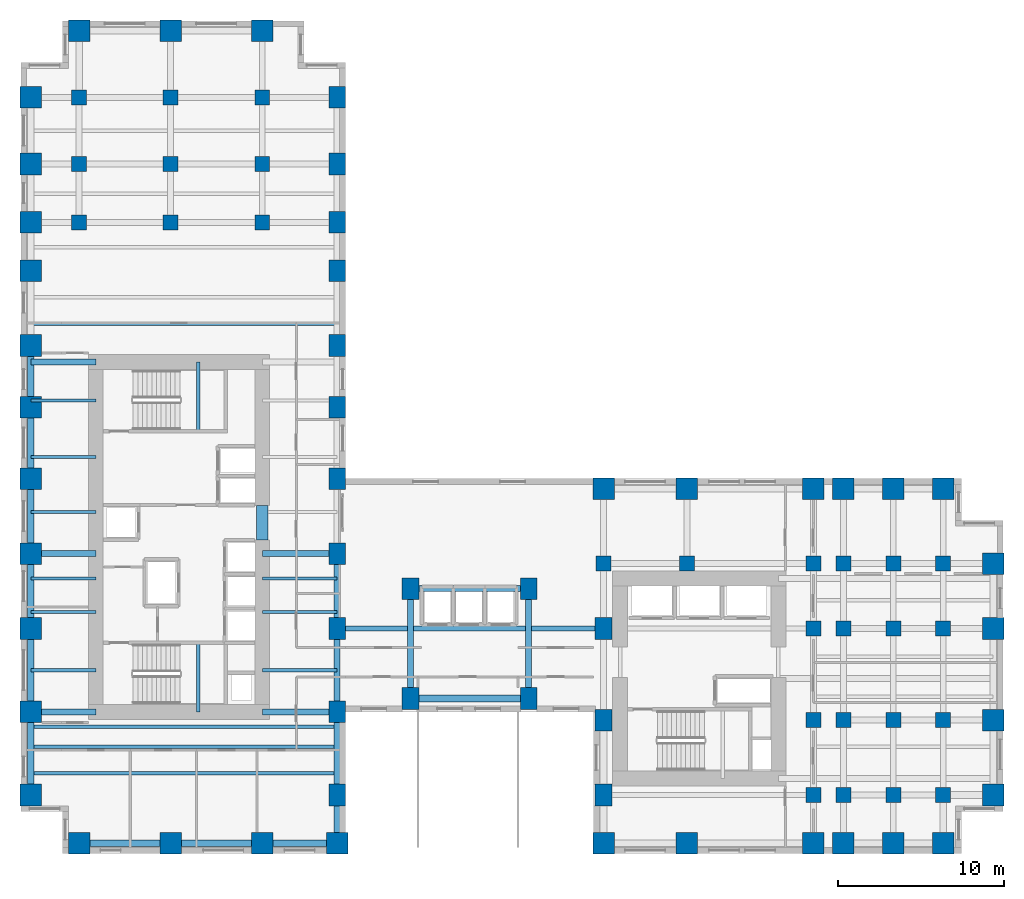
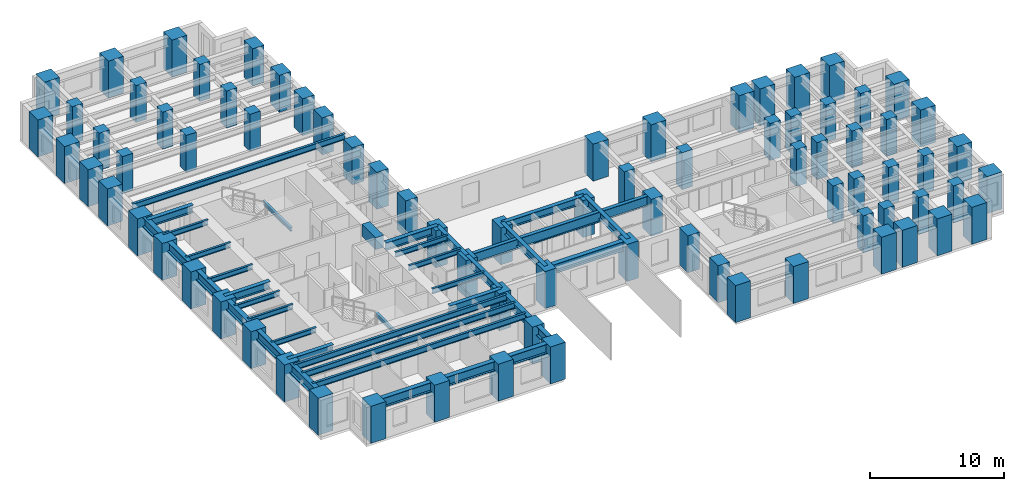
# One storey, part 1 of 12: 79 columns, 39 beams.
"""IFC4 building model written with IfcOpenShell, lengths in metres."""

from ifc_helpers import new_model, si_unit, direction, frame, origin, origin_2d, place, context, subcontext, project, spatial, rectangle, i_section, extrude, source, transform, mapped, material, material_profile, profile_set, type_object, element, save


model = new_model("IFC4")

# Units and contexts
model_context = context("Model", 3, precision=1e-05, world=origin(), true_north=direction((0.0, 1.0)))
body_context = subcontext(model_context, "Body", "Model", "MODEL_VIEW")
ifc_project = project(units=[si_unit("LENGTHUNIT", "METRE"), si_unit("AREAUNIT", "SQUARE_METRE"), si_unit("VOLUMEUNIT", "CUBIC_METRE"), si_unit("PLANEANGLEUNIT", "RADIAN"), si_unit("MASSUNIT", "GRAM", prefix="KILO")], contexts=[model_context])

# Site, building, storey
site_placement = place(None, origin())
site = spatial("IfcSite", under=ifc_project, at=site_placement, CompositionType="ELEMENT")
building_placement = place(site_placement, origin())
building = spatial("IfcBuilding", under=site, at=building_placement, Name="Kharzan Plaza Tower", CompositionType="ELEMENT")
storey_placement = place(building_placement, frame((0.0, 0.0, 51.300048828125)))
storey = spatial("IfcBuildingStorey", under=building, at=storey_placement, Name="L13", CompositionType="ELEMENT", Elevation=51.300048828125)

# Columns
ifc_material_1 = material(Name="Concrete C50/60", Category="concrete")
ifc_material_profile_1 = material_profile(ifc_material_1, rectangle(XDim=0.89990234375, YDim=0.89990234375, at=origin_2d()), Name="RC-IC900x900")
ifc_profile_set_1 = profile_set([ifc_material_profile_1], Name="Concrete C50/60")
column_type_1 = type_object("IfcColumnType", Name="COL-IC900", PredefinedType="COLUMN", material=ifc_profile_set_1)
shared_shape_1 = source(origin(), body_context, "Body", "SweptSolid", [
    extrude(rectangle(XDim=0.89990234375, YDim=0.89990234375, at=origin_2d()), origin(), (0.0, 0.0, 1.0), 3.3798828125),
])
for number, where, z_axis, x_axis, name in (
    (1, (47.60009765625, 13.5, 0.0), (0.0, 0.0, 1.0), (1.0, 0.0, 0.0), "L13 Structural Column TCBI-135"),
    (2, (47.60009765625, 3.5, 0.0), (0.0, 0.0, 1.0), (1.0, 0.0, 0.0), "L13 Structural Column TCBI-35"),
    (3, (47.60009765625, 8.0, 0.0), (0.0, 0.0, 1.0), (1.0, 0.0, 0.0), "L13 Structural Column TCBI-80"),
    (4, (35.0, 17.39990234375, 0.0), (0.0, 0.0, 1.0), (1.0, 0.0, 0.0), "L13 Structural Column TCBN-350-174"),
    (5, (40.0, 17.39990234375, 0.0), (0.0, 0.0, 1.0), (1.0, 0.0, 0.0), "L13 Structural Column TCBN-400-174"),
    (6, (47.60009765625, 17.39990234375, 0.0), (0.0, 0.0, 1.0), (1.0, 0.0, 0.0), "L13 Structural Column TCBN-476-174"),
    (7, (49.39990234375, 13.5, 0.0), (0.0, 0.0, 1.0), (1.0, 0.0, 0.0), "L13 Structural Column TCE-494-135"),
    (8, (49.39990234375, 17.39990234375, 0.0), (0.0, 0.0, 1.0), (1.0, 0.0, 0.0), "L13 Structural Column TCE-494-174"),
    (9, (49.39990234375, 3.5, 0.0), (0.0, 0.0, 1.0), (1.0, 0.0, 0.0), "L13 Structural Column TCE-494-35"),
    (10, (49.39990234375, 8.0, 0.0), (0.0, 0.0, 1.0), (1.0, 0.0, 0.0), "L13 Structural Column TCE-494-80"),
    (11, (52.39990234375, 13.5, 0.0), (0.0, 0.0, 1.0), (1.0, 0.0, 0.0), "L13 Structural Column TCE-524-135"),
    (12, (52.39990234375, 17.39990234375, 0.0), (0.0, 0.0, 1.0), (1.0, 0.0, 0.0), "L13 Structural Column TCE-524-174"),
    (13, (52.39990234375, 3.5, 0.0), (0.0, 0.0, 1.0), (1.0, 0.0, 0.0), "L13 Structural Column TCE-524-35"),
    (14, (52.39990234375, 8.0, 0.0), (0.0, 0.0, 1.0), (1.0, 0.0, 0.0), "L13 Structural Column TCE-524-80"),
    (15, (55.39990234375, 13.5, 0.0), (0.0, 0.0, 1.0), (1.0, 0.0, 0.0), "L13 Structural Column TCE-554-135"),
    (16, (55.39990234375, 17.39990234375, 0.0), (0.0, 0.0, 1.0), (1.0, 0.0, 0.0), "L13 Structural Column TCE-554-174"),
    (17, (55.39990234375, 3.5, 0.0), (0.0, 0.0, 1.0), (1.0, 0.0, 0.0), "L13 Structural Column TCE-554-35"),
    (18, (55.39990234375, 8.0, 0.0), (0.0, 0.0, 1.0), (1.0, 0.0, 0.0), "L13 Structural Column TCE-554-80"),
    (19, (14.5, 37.89990234375, 0.0), (0.0, 0.0, 1.0), (1.0, 0.0, 0.0), "L13 Structural Column TCN-145-379"),
    (20, (14.5, 41.39990234375, 0.0), (0.0, 0.0, 1.0), (1.0, 0.0, 0.0), "L13 Structural Column TCN-145-414"),
    (21, (14.5, 45.39990234375, 0.0), (0.0, 0.0, 1.0), (1.0, 0.0, 0.0), "L13 Structural Column TCN-145-454"),
    (22, (3.5, 37.89990234375, 0.0), (0.0, 0.0, 1.0), (1.0, 0.0, 0.0), "L13 Structural Column TCN-35-379"),
    (23, (3.5, 41.39990234375, 0.0), (0.0, 0.0, 1.0), (1.0, 0.0, 0.0), "L13 Structural Column TCN-35-414"),
    (24, (3.5, 45.39990234375, 0.0), (0.0, 0.0, 1.0), (1.0, 0.0, 0.0), "L13 Structural Column TCN-35-454"),
    (25, (9.0, 37.89990234375, 0.0), (0.0, 0.0, 1.0), (1.0, 0.0, 0.0), "L13 Structural Column TCN-90-379"),
    (26, (9.0, 41.39990234375, 0.0), (0.0, 0.0, 1.0), (1.0, 0.0, 0.0), "L13 Structural Column TCN-90-414"),
    (27, (9.0, 45.39990234375, 0.0), (0.0, 0.0, 1.0), (1.0, 0.0, 0.0), "L13 Structural Column TCN-90-454"),
):
    element("IfcColumn", number, at=place(storey_placement, frame(where, z_axis=z_axis, x_axis=x_axis)), inside=storey, type_object=column_type_1, Name=name, PredefinedType="COLUMN", context=body_context, shape_type="MappedRepresentation", body=[
        mapped(shared_shape_1, transform((0.0, 0.0, 0.0), x_axis=(1.0, 0.0, 0.0), y_axis=(0.0, 1.0, 0.0), z_axis=(0.0, 0.0, 1.0))),
    ])
ifc_material_2 = material(Name="Concrete C60/75", Category="concrete")
ifc_material_profile_2 = material_profile(ifc_material_2, rectangle(XDim=1.0, YDim=1.300048828125, at=origin_2d()), Name="RC-SC1300x1000")
ifc_profile_set_2 = profile_set([ifc_material_profile_2], Name="Concrete C60/75")
column_type_2 = type_object("IfcColumnType", Name="COL-SC1300", PredefinedType="COLUMN", material=ifc_profile_set_2)
shared_shape_2 = source(origin(), body_context, "Body", "SweptSolid", [
    extrude(rectangle(XDim=1.0, YDim=1.300048828125, at=origin_2d()), origin(), (0.0, 0.0, 1.0), 3.3798828125),
])
for number, where, z_axis, x_axis, name in (
    (28, (19.0, 13.5, 0.0), (0.0, 0.0, 1.0), (1.0, 0.0, 0.0), "L13 Structural Column TCA-135"),
    (29, (19.0, 18.0, 0.0), (0.0, 0.0, 1.0), (1.0, 0.0, 0.0), "L13 Structural Column TCA-180"),
    (30, (19.0, 22.5, 0.0), (0.0, 0.0, 1.0), (1.0, 0.0, 0.0), "L13 Structural Column TCA-225"),
    (31, (19.0, 26.800048828125, 0.0), (0.0, 0.0, 1.0), (1.0, 0.0, 0.0), "L13 Structural Column TCA-268"),
    (32, (19.0, 30.5, 0.0), (0.0, 0.0, 1.0), (1.0, 0.0, 0.0), "L13 Structural Column TCA-305"),
    (33, (19.0, 3.5, 0.0), (0.0, 0.0, 1.0), (1.0, 0.0, 0.0), "L13 Structural Column TCA-35"),
    (34, (19.0, 35.0, 0.0), (0.0, 0.0, 1.0), (1.0, 0.0, 0.0), "L13 Structural Column TCA-350"),
    (35, (19.0, 37.89990234375, 0.0), (0.0, 0.0, 1.0), (1.0, 0.0, 0.0), "L13 Structural Column TCA-379"),
    (36, (19.0, 41.39990234375, 0.0), (0.0, 0.0, 1.0), (1.0, 0.0, 0.0), "L13 Structural Column TCA-414"),
    (37, (19.0, 45.39990234375, 0.0), (0.0, 0.0, 1.0), (1.0, 0.0, 0.0), "L13 Structural Column TCA-454"),
    (38, (19.0, 8.5, 0.0), (0.0, 0.0, 1.0), (1.0, 0.0, 0.0), "L13 Structural Column TCA-85"),
    (39, (35.0, 13.5, 0.0), (0.0, 0.0, 1.0), (1.0, 0.0, 0.0), "L13 Structural Column TCBS-135"),
    (40, (35.0, 3.5, 0.0), (0.0, 0.0, 1.0), (1.0, 0.0, 0.0), "L13 Structural Column TCBS-35"),
    (41, (35.0, 8.0, 0.0), (0.0, 0.0, 1.0), (1.0, 0.0, 0.0), "L13 Structural Column TCBS-80"),
    (42, (23.39990234375, 15.89990234375, 0.0), (0.0, 0.0, 1.0), (1.0, 0.0, 0.0), "L13 Structural Column TCSP-234-159"),
    (43, (23.39990234375, 9.300048828125, 0.0), (0.0, 0.0, 1.0), (1.0, 0.0, 0.0), "L13 Structural Column TCSP-234-93"),
    (44, (30.5, 15.89990234375, 0.0), (0.0, 0.0, 1.0), (1.0, 0.0, 0.0), "L13 Structural Column TCSP-305-159"),
    (45, (30.5, 9.300048828125, 0.0), (0.0, 0.0, 1.0), (1.0, 0.0, 0.0), "L13 Structural Column TCSP-305-93"),
):
    element("IfcColumn", number, at=place(storey_placement, frame(where, z_axis=z_axis, x_axis=x_axis)), inside=storey, type_object=column_type_2, Name=name, PredefinedType="COLUMN", context=body_context, shape_type="MappedRepresentation", body=[
        mapped(shared_shape_2, transform((0.0, 0.0, 0.0), x_axis=(1.0, 0.0, 0.0), y_axis=(0.0, 1.0, 0.0), z_axis=(0.0, 0.0, 1.0))),
    ])
ifc_material_profile_3 = material_profile(ifc_material_2, rectangle(XDim=1.300048828125, YDim=1.300048828125, at=origin_2d()), Name="RC-TC1300x1300")
ifc_profile_set_3 = profile_set([ifc_material_profile_3], Name="Concrete C60/75")
column_type_3 = type_object("IfcColumnType", Name="COL-TC1300", PredefinedType="COLUMN", material=ifc_profile_set_3)
shared_shape_3 = source(origin(), body_context, "Body", "SweptSolid", [
    extrude(rectangle(XDim=1.300048828125, YDim=1.300048828125, at=origin_2d()), origin(), (0.0, 0.0, 1.0), 3.3798828125),
])
for number, where, z_axis, x_axis, name in (
    (46, (35.0, 21.89990234375, 0.0), (0.0, 0.0, 1.0), (1.0, 0.0, 0.0), "L13 Structural Column TCBN-350-219"),
    (47, (40.0, 21.89990234375, 0.0), (0.0, 0.0, 1.0), (1.0, 0.0, 0.0), "L13 Structural Column TCBN-400-219"),
    (48, (47.60009765625, 21.89990234375, 0.0), (0.0, 0.0, 1.0), (1.0, 0.0, 0.0), "L13 Structural Column TCBN-476-219"),
    (49, (49.39990234375, 21.89990234375, 0.0), (0.0, 0.0, 1.0), (1.0, 0.0, 0.0), "L13 Structural Column TCBN-494-219"),
    (50, (52.39990234375, 21.89990234375, 0.0), (0.0, 0.0, 1.0), (1.0, 0.0, 0.0), "L13 Structural Column TCBN-524-219"),
    (51, (55.39990234375, 21.89990234375, 0.0), (0.0, 0.0, 1.0), (1.0, 0.0, 0.0), "L13 Structural Column TCBN-554-219"),
    (52, (58.39990234375, 13.5, 0.0), (0.0, 0.0, 1.0), (1.0, 0.0, 0.0), "L13 Structural Column TCE-584-135"),
    (53, (58.39990234375, 17.39990234375, 0.0), (0.0, 0.0, 1.0), (1.0, 0.0, 0.0), "L13 Structural Column TCE-584-174"),
    (54, (58.39990234375, 3.5, 0.0), (0.0, 0.0, 1.0), (1.0, 0.0, 0.0), "L13 Structural Column TCE-584-35"),
    (55, (58.39990234375, 8.0, 0.0), (0.0, 0.0, 1.0), (1.0, 0.0, 0.0), "L13 Structural Column TCE-584-80"),
    (56, (14.5, 49.39990234375, 0.0), (0.0, 0.0, 1.0), (1.0, 0.0, 0.0), "L13 Structural Column TCN-145-494"),
    (57, (3.5, 49.39990234375, 0.0), (0.0, 0.0, 1.0), (1.0, 0.0, 0.0), "L13 Structural Column TCN-35-494"),
    (58, (9.0, 49.39990234375, 0.0), (0.0, 0.0, 1.0), (1.0, 0.0, 0.0), "L13 Structural Column TCN-90-494"),
    (59, (14.5, 0.60009765625, 0.0), (0.0, 0.0, 1.0), (1.0, 0.0, 0.0), "L13 Structural Column TCS-145"),
    (60, (19.0, 0.60009765625, 0.0), (0.0, 0.0, 1.0), (1.0, 0.0, 0.0), "L13 Structural Column TCS-190"),
    (61, (3.5, 0.60009765625, 0.0), (0.0, 0.0, 1.0), (1.0, 0.0, 0.0), "L13 Structural Column TCS-35"),
    (62, (35.0, 0.60009765625, 0.0), (0.0, 0.0, 1.0), (1.0, 0.0, 0.0), "L13 Structural Column TCS-350"),
    (63, (40.0, 0.60009765625, 0.0), (0.0, 0.0, 1.0), (1.0, 0.0, 0.0), "L13 Structural Column TCS-400"),
    (64, (47.60009765625, 0.60009765625, 0.0), (0.0, 0.0, 1.0), (1.0, 0.0, 0.0), "L13 Structural Column TCS-476"),
    (65, (49.39990234375, 0.60009765625, 0.0), (0.0, 0.0, 1.0), (1.0, 0.0, 0.0), "L13 Structural Column TCS-494"),
    (66, (52.39990234375, 0.60009765625, 0.0), (0.0, 0.0, 1.0), (1.0, 0.0, 0.0), "L13 Structural Column TCS-524"),
    (67, (55.39990234375, 0.60009765625, 0.0), (0.0, 0.0, 1.0), (1.0, 0.0, 0.0), "L13 Structural Column TCS-554"),
    (68, (9.0, 0.60009765625, 0.0), (0.0, 0.0, 1.0), (1.0, 0.0, 0.0), "L13 Structural Column TCS-90"),
    (69, (0.60009765625, 13.5, 0.0), (0.0, 0.0, 1.0), (1.0, 0.0, 0.0), "L13 Structural Column TCW-135"),
    (70, (0.60009765625, 18.0, 0.0), (0.0, 0.0, 1.0), (1.0, 0.0, 0.0), "L13 Structural Column TCW-180"),
    (71, (0.60009765625, 22.5, 0.0), (0.0, 0.0, 1.0), (1.0, 0.0, 0.0), "L13 Structural Column TCW-225"),
    (72, (0.60009765625, 26.800048828125, 0.0), (0.0, 0.0, 1.0), (1.0, 0.0, 0.0), "L13 Structural Column TCW-268"),
    (73, (0.60009765625, 30.5, 0.0), (0.0, 0.0, 1.0), (1.0, 0.0, 0.0), "L13 Structural Column TCW-305"),
    (74, (0.60009765625, 3.5, 0.0), (0.0, 0.0, 1.0), (1.0, 0.0, 0.0), "L13 Structural Column TCW-35"),
    (75, (0.60009765625, 35.0, 0.0), (0.0, 0.0, 1.0), (1.0, 0.0, 0.0), "L13 Structural Column TCW-350"),
    (76, (0.60009765625, 37.89990234375, 0.0), (0.0, 0.0, 1.0), (1.0, 0.0, 0.0), "L13 Structural Column TCW-379"),
    (77, (0.60009765625, 41.39990234375, 0.0), (0.0, 0.0, 1.0), (1.0, 0.0, 0.0), "L13 Structural Column TCW-414"),
    (78, (0.60009765625, 45.39990234375, 0.0), (0.0, 0.0, 1.0), (1.0, 0.0, 0.0), "L13 Structural Column TCW-454"),
    (79, (0.60009765625, 8.5, 0.0), (0.0, 0.0, 1.0), (1.0, 0.0, 0.0), "L13 Structural Column TCW-85"),
):
    element("IfcColumn", number, at=place(storey_placement, frame(where, z_axis=z_axis, x_axis=x_axis)), inside=storey, type_object=column_type_3, Name=name, PredefinedType="COLUMN", context=body_context, shape_type="MappedRepresentation", body=[
        mapped(shared_shape_3, transform((0.0, 0.0, 0.0), x_axis=(1.0, 0.0, 0.0), y_axis=(0.0, 1.0, 0.0), z_axis=(0.0, 0.0, 1.0))),
    ])

# Beams
ifc_material_profile_4 = material_profile(ifc_material_2, rectangle(XDim=0.699951171875, YDim=1.10009765625, at=origin_2d()), Name="RC-CB1100x700")
ifc_profile_set_4 = profile_set([ifc_material_profile_4], Name="Concrete C60/75")
beam_type_1 = type_object("IfcBeamType", Name="BM-RCCB1100", PredefinedType="LINTEL", material=ifc_profile_set_4)
shared_shape_4 = source(origin(), body_context, "Body", "SweptSolid", [
    extrude(rectangle(XDim=0.699951171875, YDim=1.10009765625, at=origin_2d()), origin(), (0.0, 0.0, 1.0), 2.059814453125),
])
beam_1_placement = place(storey_placement, frame((14.5, 18.820068359375, 2.829833984375), z_axis=(0.0, 1.0, 0.0), x_axis=(-1.0, 0.0, 0.0)))
element("IfcBeam", 80, at=beam_1_placement, inside=storey, type_object=beam_type_1, Name="L13 CORE-A RC coupling beam CB1", PredefinedType="LINTEL", context=body_context, shape_type="MappedRepresentation", body=[
    mapped(shared_shape_4, transform((0.0, 0.0, 0.0), x_axis=(1.0, 0.0, 0.0), y_axis=(0.0, 1.0, 0.0), z_axis=(0.0, 0.0, 1.0))),
])
ifc_material_3 = material(Name="Steel S355", Category="steel")
ifc_material_profile_5 = material_profile(ifc_material_3, i_section(OverallWidth=0.205078125, OverallDepth=0.35400390625, WebThickness=0.009521484375, FlangeThickness=0.016845703125, at=origin_2d()), Name="W360x79")
ifc_profile_set_5 = profile_set([ifc_material_profile_5], Name="Steel S355")
beam_type_2 = type_object("IfcBeamType", Name="BM-LNT360", PredefinedType="LINTEL", material=ifc_profile_set_5)
shared_shape_5 = source(origin(), body_context, "Body", "SweptSolid", [
    extrude(i_section(OverallWidth=0.205078125, OverallDepth=0.35400390625, WebThickness=0.009521484375, FlangeThickness=0.016845703125, at=origin_2d()), origin(), (0.0, 0.0, 1.0), 4.155029296875),
])
for number, where, z_axis, x_axis, name in (
    (81, (10.64990234375, 8.5, 1.4228515625), (0.0, 1.0, 0.0), (-1.0, 0.0, 0.0), "L13 Stair ST-1 Half-Landing Beam"),
    (82, (10.64990234375, 25.344970703125, 1.4228515625), (0.0, 1.0, 0.0), (-1.0, 0.0, 0.0), "L13 Stair ST-2 Half-Landing Beam"),
):
    element("IfcBeam", number, at=place(storey_placement, frame(where, z_axis=z_axis, x_axis=x_axis)), inside=storey, type_object=beam_type_2, Name=name, PredefinedType="LINTEL", context=body_context, shape_type="MappedRepresentation", body=[
        mapped(shared_shape_5, transform((0.0, 0.0, 0.0), x_axis=(1.0, 0.0, 0.0), y_axis=(0.0, 1.0, 0.0), z_axis=(0.0, 0.0, 1.0))),
    ])
ifc_material_profile_6 = material_profile(ifc_material_3, i_section(OverallWidth=0.304931640625, OverallDepth=0.9189453125, WebThickness=0.017333984375, FlangeThickness=0.02783203125, at=origin_2d()), Name="W920x253")
ifc_profile_set_6 = profile_set([ifc_material_profile_6], Name="Steel S355")
beam_type_3 = type_object("IfcBeamType", Name="BM-FG920B", PredefinedType="BEAM", material=ifc_profile_set_6)
shared_shape_6 = source(origin(), body_context, "Body", "SweptSolid", [
    extrude(i_section(OverallWidth=0.304931640625, OverallDepth=0.9189453125, WebThickness=0.017333984375, FlangeThickness=0.02783203125, at=origin_2d()), origin(), (0.0, 0.0, 1.0), 16.0),
])
beam_2_placement = place(storey_placement, frame((19.0, 13.5, 2.92041015625), z_axis=(1.0, 0.0, 0.0), x_axis=(0.0, 1.0, 0.0)))
element("IfcBeam", 83, at=beam_2_placement, inside=storey, type_object=beam_type_3, Name="L13 Primary Floor Girder", PredefinedType="BEAM", context=body_context, shape_type="MappedRepresentation", body=[
    mapped(shared_shape_6, transform((0.0, 0.0, 0.0), x_axis=(1.0, 0.0, 0.0), y_axis=(0.0, 1.0, 0.0), z_axis=(0.0, 0.0, 1.0))),
])
ifc_material_profile_7 = material_profile(ifc_material_3, i_section(OverallWidth=0.35498046875, OverallDepth=0.695068359375, WebThickness=0.015380859375, FlangeThickness=0.02490234375, at=origin_2d()), Name="W690x217")
ifc_profile_set_7 = profile_set([ifc_material_profile_7], Name="Steel S355")
beam_type_4 = type_object("IfcBeamType", Name="BM-FG690A", PredefinedType="BEAM", material=ifc_profile_set_7)
shared_shape_7 = source(origin(), body_context, "Body", "SweptSolid", [
    extrude(i_section(OverallWidth=0.35498046875, OverallDepth=0.695068359375, WebThickness=0.015380859375, FlangeThickness=0.02490234375, at=origin_2d()), origin(), (0.0, 0.0, 1.0), 4.5),
])
for number, where, z_axis, x_axis, name in (
    (84, (14.5, 8.5, 3.032470703125), (1.0, 0.0, 0.0), (0.0, 1.0, 0.0), "L13 Core-A East Floor Girder 1"),
    (85, (14.5, 18.0, 3.032470703125), (1.0, 0.0, 0.0), (0.0, 1.0, 0.0), "L13 Core-A East Floor Girder 2"),
    (86, (19.0, 13.5, 3.032470703125), (0.0, 1.0, 0.0), (-1.0, 0.0, 0.0), "L13 Interior Frame Girder"),
):
    element("IfcBeam", number, at=place(storey_placement, frame(where, z_axis=z_axis, x_axis=x_axis)), inside=storey, type_object=beam_type_4, Name=name, PredefinedType="BEAM", context=body_context, shape_type="MappedRepresentation", body=[
        mapped(shared_shape_7, transform((0.0, 0.0, 0.0), x_axis=(1.0, 0.0, 0.0), y_axis=(0.0, 1.0, 0.0), z_axis=(0.0, 0.0, 1.0))),
    ])
shared_shape_8 = source(origin(), body_context, "Body", "SweptSolid", [
    extrude(i_section(OverallWidth=0.35498046875, OverallDepth=0.695068359375, WebThickness=0.015380859375, FlangeThickness=0.02490234375, at=origin_2d()), origin(), (0.0, 0.0, 1.0), 3.89990234375),
])
for number, where, z_axis, x_axis, name in (
    (87, (0.60009765625, 8.5, 3.032470703125), (1.0, 0.0, 0.0), (0.0, 1.0, 0.0), "L13 Core-A West Floor Girder 1"),
    (88, (0.60009765625, 18.0, 3.032470703125), (1.0, 0.0, 0.0), (0.0, 1.0, 0.0), "L13 Core-A West Floor Girder 2"),
    (89, (0.60009765625, 29.5, 3.032470703125), (1.0, 0.0, 0.0), (0.0, 1.0, 0.0), "L13 Core-A West Floor Girder 3"),
):
    element("IfcBeam", number, at=place(storey_placement, frame(where, z_axis=z_axis, x_axis=x_axis)), inside=storey, type_object=beam_type_4, Name=name, PredefinedType="BEAM", context=body_context, shape_type="MappedRepresentation", body=[
        mapped(shared_shape_8, transform((0.0, 0.0, 0.0), x_axis=(1.0, 0.0, 0.0), y_axis=(0.0, 1.0, 0.0), z_axis=(0.0, 0.0, 1.0))),
    ])
shared_shape_9 = source(origin(), body_context, "Body", "SweptSolid", [
    extrude(i_section(OverallWidth=0.35498046875, OverallDepth=0.695068359375, WebThickness=0.015380859375, FlangeThickness=0.02490234375, at=origin_2d()), origin(), (0.0, 0.0, 1.0), 5.0),
])
beam_3_placement = place(storey_placement, frame((19.0, 8.5, 3.032470703125), z_axis=(0.0, 1.0, 0.0), x_axis=(-1.0, 0.0, 0.0)))
element("IfcBeam", 90, at=beam_3_placement, inside=storey, type_object=beam_type_4, Name="L13 Interior Frame Girder", PredefinedType="BEAM", context=body_context, shape_type="MappedRepresentation", body=[
    mapped(shared_shape_9, transform((0.0, 0.0, 0.0), x_axis=(1.0, 0.0, 0.0), y_axis=(0.0, 1.0, 0.0), z_axis=(0.0, 0.0, 1.0))),
])
shared_shape_10 = source(origin(), body_context, "Body", "SweptSolid", [
    extrude(i_section(OverallWidth=0.35498046875, OverallDepth=0.695068359375, WebThickness=0.015380859375, FlangeThickness=0.02490234375, at=origin_2d()), origin(), (0.0, 0.0, 1.0), 6.599853515625),
])
for number, where, z_axis, x_axis, name in (
    (91, (23.39990234375, 9.300048828125, 3.032470703125), (0.0, 1.0, 0.0), (-1.0, 0.0, 0.0), "L13 Interior Frame Girder"),
    (92, (30.5, 9.300048828125, 3.032470703125), (0.0, 1.0, 0.0), (-1.0, 0.0, 0.0), "L13 Interior Frame Girder"),
):
    element("IfcBeam", number, at=place(storey_placement, frame(where, z_axis=z_axis, x_axis=x_axis)), inside=storey, type_object=beam_type_4, Name=name, PredefinedType="BEAM", context=body_context, shape_type="MappedRepresentation", body=[
        mapped(shared_shape_10, transform((0.0, 0.0, 0.0), x_axis=(1.0, 0.0, 0.0), y_axis=(0.0, 1.0, 0.0), z_axis=(0.0, 0.0, 1.0))),
    ])
shared_shape_11 = source(origin(), body_context, "Body", "SweptSolid", [
    extrude(i_section(OverallWidth=0.35498046875, OverallDepth=0.695068359375, WebThickness=0.015380859375, FlangeThickness=0.02490234375, at=origin_2d()), origin(), (0.0, 0.0, 1.0), 7.10009765625),
])
beam_4_placement = place(storey_placement, frame((23.39990234375, 15.89990234375, 3.032470703125), z_axis=(1.0, 0.0, 0.0), x_axis=(0.0, 1.0, 0.0)))
element("IfcBeam", 93, at=beam_4_placement, inside=storey, type_object=beam_type_4, Name="L13 Primary Floor Girder", PredefinedType="BEAM", context=body_context, shape_type="MappedRepresentation", body=[
    mapped(shared_shape_11, transform((0.0, 0.0, 0.0), x_axis=(1.0, 0.0, 0.0), y_axis=(0.0, 1.0, 0.0), z_axis=(0.0, 0.0, 1.0))),
])
ifc_material_profile_8 = material_profile(ifc_material_3, i_section(OverallWidth=0.2099609375, OverallDepth=0.537109375, WebThickness=0.010986328125, FlangeThickness=0.017333984375, at=origin_2d()), Name="W530x101")
ifc_profile_set_8 = profile_set([ifc_material_profile_8], Name="Steel S355")
beam_type_5 = type_object("IfcBeamType", Name="BM-JST530B", PredefinedType="JOIST", material=ifc_profile_set_8)
shared_shape_12 = source(origin(), body_context, "Body", "SweptSolid", [
    extrude(i_section(OverallWidth=0.2099609375, OverallDepth=0.537109375, WebThickness=0.010986328125, FlangeThickness=0.017333984375, at=origin_2d()), origin(), (0.0, 0.0, 1.0), 18.39990234375),
])
for number, where, z_axis, x_axis, name in (
    (94, (0.60009765625, 4.800048828125, 3.111572265625), (1.0, 0.0, 0.0), (0.0, 1.0, 0.0), "L13 Wing A Composite Joist 01"),
    (95, (0.60009765625, 6.39990234375, 3.111572265625), (1.0, 0.0, 0.0), (0.0, 1.0, 0.0), "L13 Wing A Composite Joist 02"),
    (96, (0.60009765625, 7.60009765625, 3.111572265625), (1.0, 0.0, 0.0), (0.0, 1.0, 0.0), "L13 Wing A Composite Joist 03"),
    (97, (0.60009765625, 31.800048828125, 3.111572265625), (1.0, 0.0, 0.0), (0.0, 1.0, 0.0), "L13 Wing A Composite Joist 04"),
):
    element("IfcBeam", number, at=place(storey_placement, frame(where, z_axis=z_axis, x_axis=x_axis)), inside=storey, type_object=beam_type_5, Name=name, PredefinedType="JOIST", context=body_context, shape_type="MappedRepresentation", body=[
        mapped(shared_shape_12, transform((0.0, 0.0, 0.0), x_axis=(1.0, 0.0, 0.0), y_axis=(0.0, 1.0, 0.0), z_axis=(0.0, 0.0, 1.0))),
    ])
ifc_material_profile_9 = material_profile(ifc_material_3, i_section(OverallWidth=0.194091796875, OverallDepth=0.468994140625, WebThickness=0.011474609375, FlangeThickness=0.0205078125, at=origin_2d()), Name="W460x106")
ifc_profile_set_9 = profile_set([ifc_material_profile_9], Name="Steel S355")
beam_type_6 = type_object("IfcBeamType", Name="BM-JST460", PredefinedType="JOIST", material=ifc_profile_set_9)
shared_shape_13 = source(origin(), body_context, "Body", "SweptSolid", [
    extrude(i_section(OverallWidth=0.194091796875, OverallDepth=0.468994140625, WebThickness=0.011474609375, FlangeThickness=0.0205078125, at=origin_2d()), origin(), (0.0, 0.0, 1.0), 4.5),
])
for number, where, z_axis, x_axis, name in (
    (98, (14.5, 11.0, 3.1455078125), (1.0, 0.0, 0.0), (0.0, 1.0, 0.0), "L13 Wing A East Infill Joist 1"),
    (99, (14.5, 14.5, 3.1455078125), (1.0, 0.0, 0.0), (0.0, 1.0, 0.0), "L13 Wing A East Infill Joist 2"),
    (100, (14.5, 16.5, 3.1455078125), (1.0, 0.0, 0.0), (0.0, 1.0, 0.0), "L13 Wing A East Infill Joist 3"),
):
    element("IfcBeam", number, at=place(storey_placement, frame(where, z_axis=z_axis, x_axis=x_axis)), inside=storey, type_object=beam_type_6, Name=name, PredefinedType="JOIST", context=body_context, shape_type="MappedRepresentation", body=[
        mapped(shared_shape_13, transform((0.0, 0.0, 0.0), x_axis=(1.0, 0.0, 0.0), y_axis=(0.0, 1.0, 0.0), z_axis=(0.0, 0.0, 1.0))),
    ])
shared_shape_14 = source(origin(), body_context, "Body", "SweptSolid", [
    extrude(i_section(OverallWidth=0.194091796875, OverallDepth=0.468994140625, WebThickness=0.011474609375, FlangeThickness=0.0205078125, at=origin_2d()), origin(), (0.0, 0.0, 1.0), 3.89990234375),
])
for number, where, z_axis, x_axis, name in (
    (101, (0.60009765625, 11.0, 3.1455078125), (1.0, 0.0, 0.0), (0.0, 1.0, 0.0), "L13 Wing A West Infill Joist 1"),
    (102, (0.60009765625, 14.5, 3.1455078125), (1.0, 0.0, 0.0), (0.0, 1.0, 0.0), "L13 Wing A West Infill Joist 2"),
    (103, (0.60009765625, 16.5, 3.1455078125), (1.0, 0.0, 0.0), (0.0, 1.0, 0.0), "L13 Wing A West Infill Joist 3"),
    (104, (0.60009765625, 20.5, 3.1455078125), (1.0, 0.0, 0.0), (0.0, 1.0, 0.0), "L13 Wing A West Infill Joist 4"),
    (105, (0.60009765625, 23.800048828125, 3.1455078125), (1.0, 0.0, 0.0), (0.0, 1.0, 0.0), "L13 Wing A West Infill Joist 5"),
    (106, (0.60009765625, 27.199951171875, 3.1455078125), (1.0, 0.0, 0.0), (0.0, 1.0, 0.0), "L13 Wing A West Infill Joist 6"),
):
    element("IfcBeam", number, at=place(storey_placement, frame(where, z_axis=z_axis, x_axis=x_axis)), inside=storey, type_object=beam_type_6, Name=name, PredefinedType="JOIST", context=body_context, shape_type="MappedRepresentation", body=[
        mapped(shared_shape_14, transform((0.0, 0.0, 0.0), x_axis=(1.0, 0.0, 0.0), y_axis=(0.0, 1.0, 0.0), z_axis=(0.0, 0.0, 1.0))),
    ])
ifc_material_profile_10 = material_profile(ifc_material_3, i_section(OverallWidth=0.40087890625, OverallDepth=0.85498046875, WebThickness=0.018310546875, FlangeThickness=0.029296875, at=origin_2d()), Name="W840x299")
ifc_profile_set_10 = profile_set([ifc_material_profile_10], Name="Steel S355")
beam_type_7 = type_object("IfcBeamType", Name="BM-SP840A", PredefinedType="SPANDREL", material=ifc_profile_set_10)
shared_shape_15 = source(origin(), body_context, "Body", "SweptSolid", [
    extrude(i_section(OverallWidth=0.40087890625, OverallDepth=0.85498046875, WebThickness=0.018310546875, FlangeThickness=0.029296875, at=origin_2d()), origin(), (0.0, 0.0, 1.0), 5.0),
])
for number, where, z_axis, x_axis, name in (
    (107, (0.60009765625, 3.5, 2.952392578125), (0.0, 1.0, 0.0), (-1.0, 0.0, 0.0), "L13 Perimeter Tube Spandrel"),
    (108, (0.60009765625, 8.5, 2.952392578125), (0.0, 1.0, 0.0), (-1.0, 0.0, 0.0), "L13 Perimeter Tube Spandrel"),
    (109, (19.0, 3.5, 2.952392578125), (0.0, 1.0, 0.0), (-1.0, 0.0, 0.0), "L13 Perimeter Tube Spandrel"),
):
    element("IfcBeam", number, at=place(storey_placement, frame(where, z_axis=z_axis, x_axis=x_axis)), inside=storey, type_object=beam_type_7, Name=name, PredefinedType="SPANDREL", context=body_context, shape_type="MappedRepresentation", body=[
        mapped(shared_shape_15, transform((0.0, 0.0, 0.0), x_axis=(1.0, 0.0, 0.0), y_axis=(0.0, 1.0, 0.0), z_axis=(0.0, 0.0, 1.0))),
    ])
shared_shape_16 = source(origin(), body_context, "Body", "SweptSolid", [
    extrude(i_section(OverallWidth=0.40087890625, OverallDepth=0.85498046875, WebThickness=0.018310546875, FlangeThickness=0.029296875, at=origin_2d()), origin(), (0.0, 0.0, 1.0), 4.5),
])
for number, where, z_axis, x_axis, name in (
    (110, (0.60009765625, 13.5, 2.952392578125), (0.0, 1.0, 0.0), (-1.0, 0.0, 0.0), "L13 Perimeter Tube Spandrel"),
    (111, (0.60009765625, 18.0, 2.952392578125), (0.0, 1.0, 0.0), (-1.0, 0.0, 0.0), "L13 Perimeter Tube Spandrel"),
    (112, (14.5, 0.60009765625, 2.952392578125), (1.0, 0.0, 0.0), (0.0, 1.0, 0.0), "L13 Perimeter Tube Spandrel"),
):
    element("IfcBeam", number, at=place(storey_placement, frame(where, z_axis=z_axis, x_axis=x_axis)), inside=storey, type_object=beam_type_7, Name=name, PredefinedType="SPANDREL", context=body_context, shape_type="MappedRepresentation", body=[
        mapped(shared_shape_16, transform((0.0, 0.0, 0.0), x_axis=(1.0, 0.0, 0.0), y_axis=(0.0, 1.0, 0.0), z_axis=(0.0, 0.0, 1.0))),
    ])
shared_shape_17 = source(origin(), body_context, "Body", "SweptSolid", [
    extrude(i_section(OverallWidth=0.40087890625, OverallDepth=0.85498046875, WebThickness=0.018310546875, FlangeThickness=0.029296875, at=origin_2d()), origin(), (0.0, 0.0, 1.0), 4.300048828125),
])
beam_5_placement = place(storey_placement, frame((0.60009765625, 22.5, 2.952392578125), z_axis=(0.0, 1.0, 0.0), x_axis=(-1.0, 0.0, 0.0)))
element("IfcBeam", 113, at=beam_5_placement, inside=storey, type_object=beam_type_7, Name="L13 Perimeter Tube Spandrel", PredefinedType="SPANDREL", context=body_context, shape_type="MappedRepresentation", body=[
    mapped(shared_shape_17, transform((0.0, 0.0, 0.0), x_axis=(1.0, 0.0, 0.0), y_axis=(0.0, 1.0, 0.0), z_axis=(0.0, 0.0, 1.0))),
])
shared_shape_18 = source(origin(), body_context, "Body", "SweptSolid", [
    extrude(i_section(OverallWidth=0.40087890625, OverallDepth=0.85498046875, WebThickness=0.018310546875, FlangeThickness=0.029296875, at=origin_2d()), origin(), (0.0, 0.0, 1.0), 3.699951171875),
])
beam_6_placement = place(storey_placement, frame((0.60009765625, 26.800048828125, 2.952392578125), z_axis=(0.0, 1.0, 0.0), x_axis=(-1.0, 0.0, 0.0)))
element("IfcBeam", 114, at=beam_6_placement, inside=storey, type_object=beam_type_7, Name="L13 Perimeter Tube Spandrel", PredefinedType="SPANDREL", context=body_context, shape_type="MappedRepresentation", body=[
    mapped(shared_shape_18, transform((0.0, 0.0, 0.0), x_axis=(1.0, 0.0, 0.0), y_axis=(0.0, 1.0, 0.0), z_axis=(0.0, 0.0, 1.0))),
])
shared_shape_19 = source(origin(), body_context, "Body", "SweptSolid", [
    extrude(i_section(OverallWidth=0.40087890625, OverallDepth=0.85498046875, WebThickness=0.018310546875, FlangeThickness=0.029296875, at=origin_2d()), origin(), (0.0, 0.0, 1.0), 2.89990234375),
])
beam_7_placement = place(storey_placement, frame((19.0, 0.60009765625, 2.952392578125), z_axis=(0.0, 1.0, 0.0), x_axis=(-1.0, 0.0, 0.0)))
element("IfcBeam", 115, at=beam_7_placement, inside=storey, type_object=beam_type_7, Name="L13 Perimeter Tube Spandrel", PredefinedType="SPANDREL", context=body_context, shape_type="MappedRepresentation", body=[
    mapped(shared_shape_19, transform((0.0, 0.0, 0.0), x_axis=(1.0, 0.0, 0.0), y_axis=(0.0, 1.0, 0.0), z_axis=(0.0, 0.0, 1.0))),
])
shared_shape_20 = source(origin(), body_context, "Body", "SweptSolid", [
    extrude(i_section(OverallWidth=0.40087890625, OverallDepth=0.85498046875, WebThickness=0.018310546875, FlangeThickness=0.029296875, at=origin_2d()), origin(), (0.0, 0.0, 1.0), 5.5),
])
for number, where, z_axis, x_axis, name in (
    (116, (3.5, 0.60009765625, 2.952392578125), (1.0, 0.0, 0.0), (0.0, 1.0, 0.0), "L13 Perimeter Tube Spandrel"),
    (117, (9.0, 0.60009765625, 2.952392578125), (1.0, 0.0, 0.0), (0.0, 1.0, 0.0), "L13 Perimeter Tube Spandrel"),
):
    element("IfcBeam", number, at=place(storey_placement, frame(where, z_axis=z_axis, x_axis=x_axis)), inside=storey, type_object=beam_type_7, Name=name, PredefinedType="SPANDREL", context=body_context, shape_type="MappedRepresentation", body=[
        mapped(shared_shape_20, transform((0.0, 0.0, 0.0), x_axis=(1.0, 0.0, 0.0), y_axis=(0.0, 1.0, 0.0), z_axis=(0.0, 0.0, 1.0))),
    ])
shared_shape_21 = source(origin(), body_context, "Body", "SweptSolid", [
    extrude(i_section(OverallWidth=0.40087890625, OverallDepth=0.85498046875, WebThickness=0.018310546875, FlangeThickness=0.029296875, at=origin_2d()), origin(), (0.0, 0.0, 1.0), 7.10009765625),
])
beam_8_placement = place(storey_placement, frame((23.39990234375, 9.300048828125, 2.952392578125), z_axis=(1.0, 0.0, 0.0), x_axis=(0.0, 1.0, 0.0)))
element("IfcBeam", 118, at=beam_8_placement, inside=storey, type_object=beam_type_7, Name="L13 Perimeter Tube Spandrel", PredefinedType="SPANDREL", context=body_context, shape_type="MappedRepresentation", body=[
    mapped(shared_shape_21, transform((0.0, 0.0, 0.0), x_axis=(1.0, 0.0, 0.0), y_axis=(0.0, 1.0, 0.0), z_axis=(0.0, 0.0, 1.0))),
])

save(model, "model.ifc")
